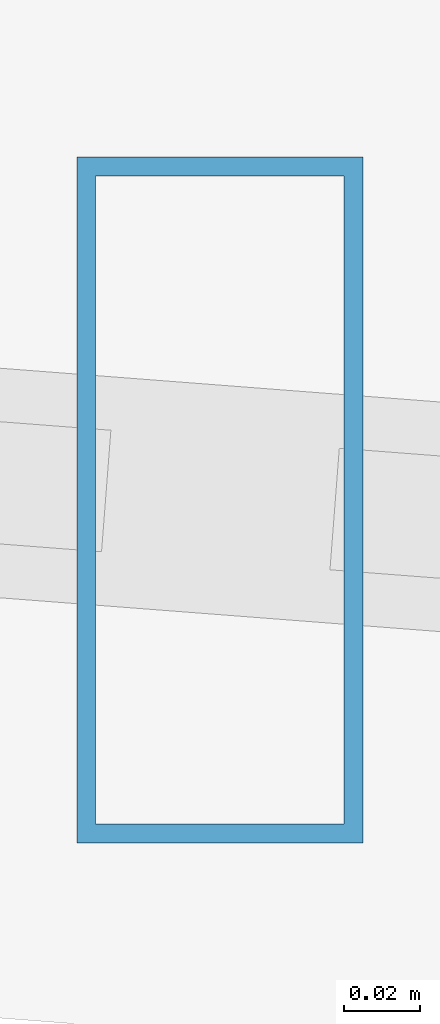
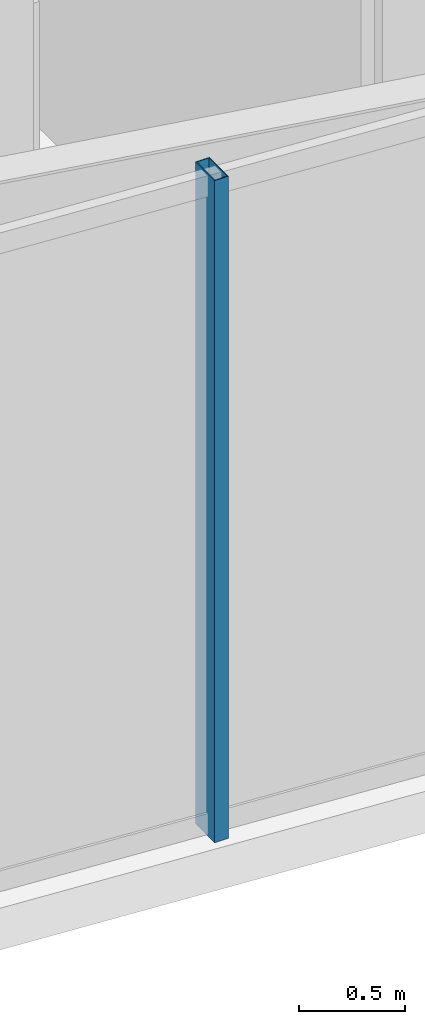
# One storey, part 2 of 29: 1 member, 1 element without a shape of its own.
"""IFC4 building model written with IfcOpenShell, lengths in metres."""

import ifcopenshell
import ifcopenshell.guid

model = None  # the IFC model being written
_history = None  # IfcOwnerHistory: only IFC2X3 demands one
_inside = {}  # id of a spatial element -> (the spatial element, [elements in it])
_under = {}  # id of a project, library or spatial element -> (it, [spatial elements below it])
_declared = {}  # id of a project -> (the project, [libraries it declares])
_typed = {}  # id of a type object -> (the type object, [elements of that type])
_made_of = {}  # id of a material, layer set ... -> (it, [elements and type objects made of it])


def new_model(schema):
    """Start an empty IFC model of exactly this schema.

    Asked for "IFC4X3", IfcOpenShell would pick the latest addendum, in which some entities
    have other attributes; the version numbers below select the first issue.
    IFC2X3 requires an IfcOwnerHistory on every rooted entity: one is made here for all.
    """
    global model, _history
    if schema == "IFC4X3":
        model = ifcopenshell.file(schema_version=(4, 3, 0, 0))
    else:
        model = ifcopenshell.file(schema=schema)
    _inside.clear()
    _under.clear()
    _declared.clear()
    _typed.clear()
    _made_of.clear()
    _history = None
    if model.schema == "IFC2X3":
        org = make("IfcOrganization", Name="unknown")
        user = make(
            "IfcPersonAndOrganization",
            ThePerson=make("IfcPerson", FamilyName="unknown"),
            TheOrganization=org,
        )
        app = make(
            "IfcApplication",
            ApplicationDeveloper=org,
            Version="unknown",
            ApplicationFullName="unknown",
            ApplicationIdentifier="unknown",
        )
        _history = make(
            "IfcOwnerHistory",
            OwningUser=user,
            OwningApplication=app,
            ChangeAction="ADDED",
            CreationDate=0,
        )
    return model


def make(cls, **values):
    """One entity of the class cls with the attributes given. An attribute that is None is left unset."""
    return model.create_entity(
        cls, **{name: value for name, value in values.items() if value is not None}
    )


def rooted(cls, **values):
    """An entity with a GlobalId (a new one), such as an element, a storey or a relation."""
    return make(cls, GlobalId=ifcopenshell.guid.new(), OwnerHistory=_history, **values)


def si_unit(unit_type, name, prefix=None):
    """IfcSIUnit, for example si_unit("LENGTHUNIT", "METRE", prefix="MILLI")."""
    return make("IfcSIUnit", UnitType=unit_type, Prefix=prefix, Name=name)


def assignment(units):
    """IfcUnitAssignment: the units of a project."""
    return None if units is None else make("IfcUnitAssignment", Units=units)


def point(xyz):
    """IfcCartesianPoint."""
    return None if xyz is None else make("IfcCartesianPoint", Coordinates=xyz)


def direction(xyz):
    """IfcDirection."""
    return None if xyz is None else make("IfcDirection", DirectionRatios=xyz)


def frame(location, z_axis=None, x_axis=None):
    """IfcAxis2Placement3D, a coordinate frame: its origin and axes. An axis left out is left unset."""
    return make(
        "IfcAxis2Placement3D",
        Location=point(location),
        Axis=direction(z_axis),
        RefDirection=direction(x_axis),
    )


def frame_2d(location, x_axis=None):
    """IfcAxis2Placement2D, a coordinate frame in the plane: its origin and x axis."""
    return make(
        "IfcAxis2Placement2D", Location=point(location), RefDirection=direction(x_axis)
    )


def origin():
    """The frame at (0, 0, 0) with its axes left unset."""
    return frame((0.0, 0.0, 0.0))


def origin_2d():
    """The frame at (0, 0) in the plane with its x axis left unset."""
    return frame_2d((0.0, 0.0))


def place(relative_to, where):
    """IfcLocalPlacement: puts the frame where relative to a parent placement (None: the world)."""
    return make(
        "IfcLocalPlacement", PlacementRelTo=relative_to, RelativePlacement=where
    )


def context(
    kind, dimensions, precision=None, world=None, true_north=None, identifier=None
):
    """IfcGeometricRepresentationContext, for example the 3D "Model" context."""
    return make(
        "IfcGeometricRepresentationContext",
        ContextIdentifier=identifier,
        ContextType=kind,
        CoordinateSpaceDimension=dimensions,
        Precision=precision,
        WorldCoordinateSystem=world,
        TrueNorth=true_north,
    )


def subcontext(parent, identifier, kind, view, scale=None):
    """IfcGeometricRepresentationSubContext, for example "Body" below "Model"."""
    return make(
        "IfcGeometricRepresentationSubContext",
        ContextIdentifier=identifier,
        ContextType=kind,
        ParentContext=parent,
        TargetScale=scale,
        TargetView=view,
    )


def project(units=None, contexts=None):
    """IfcProject with its units and contexts."""
    return rooted(
        "IfcProject",
        Name="project",
        RepresentationContexts=contexts,
        UnitsInContext=assignment(units),
    )


def spatial(cls, under=None, at=None, **own):
    """A site, building, storey or space (cls), placed at a placement, below another one or the project."""
    s = rooted(cls, ObjectPlacement=at, **own)
    if under is not None:
        _under.setdefault(under.id(), (under, []))[1].append(s)
    return s


def profile(cls, at=None, kind="AREA", **sizes):
    """A parametric profile (cls). Its sizes go by their IFC names, for example OverallWidth=200.0."""
    return make(cls, ProfileType=kind, Position=at, **sizes)


def hollow_rectangle(**sizes):
    """IfcRectangleHollowProfileDef."""
    return profile("IfcRectangleHollowProfileDef", **sizes)


def extrude(swept, where, along, depth):
    """IfcExtrudedAreaSolid: the profile swept, set in the frame where, extruded along a direction by depth."""
    return make(
        "IfcExtrudedAreaSolid",
        SweptArea=swept,
        Position=where,
        ExtrudedDirection=direction(along),
        Depth=depth,
    )


def shape(context_of_items, identifier, shape_type, items):
    """IfcShapeRepresentation: the items that make up one representation, for example the "Body"."""
    return make(
        "IfcShapeRepresentation",
        ContextOfItems=context_of_items,
        RepresentationIdentifier=identifier,
        RepresentationType=shape_type,
        Items=items,
    )


def material(Name=None, Category=None):
    """IfcMaterial."""
    return make("IfcMaterial", Name=Name, Category=Category)


def layer(
    of_material, thickness, ventilated=None, Name=None, Category=None, Priority=None
):
    """IfcMaterialLayer: one layer of a wall or slab, of a material (None: an air gap)."""
    return make(
        "IfcMaterialLayer",
        Material=of_material,
        LayerThickness=thickness,
        IsVentilated=ventilated,
        Name=Name,
        Category=Category,
        Priority=Priority,
    )


def layer_set(layers, Name=None):
    """IfcMaterialLayerSet."""
    return make("IfcMaterialLayerSet", MaterialLayers=layers, LayerSetName=Name)


def material_profile(
    of_material, cross_section, Name=None, Category=None, Priority=None
):
    """IfcMaterialProfile: a cross section and its material."""
    return make(
        "IfcMaterialProfile",
        Name=Name,
        Material=of_material,
        Profile=cross_section,
        Priority=Priority,
        Category=Category,
    )


def profile_set(profiles, Name=None, composite=None):
    """IfcMaterialProfileSet."""
    return make(
        "IfcMaterialProfileSet",
        Name=Name,
        MaterialProfiles=profiles,
        CompositeProfile=composite,
    )


def made_of(thing, what):
    """Note that an element or type object is made of a material, layer set ...; save() writes the relation."""
    if what is not None:
        _made_of.setdefault(what.id(), (what, []))[1].append(thing)
    return thing


def type_object(cls, material=None, **own):
    """A type object (cls), such as IfcWallType, which elements share."""
    return made_of(rooted(cls, **own), material)


def element(
    cls,
    number,
    at=None,
    inside=None,
    cuts=None,
    type_object=None,
    material=None,
    context=None,
    identifier="Body",
    shape_type=None,
    held_by="IfcProductDefinitionShape",
    body=None,
    shapes=None,
    **own,
):
    """One element of the class cls, such as IfcWall. Its Tag is "e" and its number.

    at: its placement. inside: the storey or other place that contains it. cuts: it is an
    opening in that element (IfcRelVoidsElement). A single representation is given by context,
    identifier, shape_type and body (its items); several are given by shapes. held_by: the class
    of the entity that holds the representations. save() writes the other relations.
    """
    e = rooted(cls, Tag="e%d" % number, ObjectPlacement=at, **own)
    if body is not None:
        shapes = [shape(context, identifier, shape_type, body)]
    if shapes is not None:
        e.Representation = make(held_by, Representations=shapes)
    if inside is not None:
        _inside.setdefault(inside.id(), (inside, []))[1].append(e)
    if cuts is not None:
        rooted(
            "IfcRelVoidsElement", RelatingBuildingElement=cuts, RelatedOpeningElement=e
        )
    if type_object is not None:
        _typed.setdefault(type_object.id(), (type_object, []))[1].append(e)
    return made_of(e, material)


def aggregate(whole, parts):
    """IfcRelAggregates: a whole, such as a stair, and the parts it consists of."""
    return rooted("IfcRelAggregates", RelatingObject=whole, RelatedObjects=parts)


def save(model, path):
    """Write the relations noted so far, then the file.

    IfcRelAggregates (storeys below a building ...), IfcRelContainedInSpatialStructure (elements
    in a storey), IfcRelDefinesByType, IfcRelAssociatesMaterial and IfcRelDeclares: one each for
    every whole, place, type object, material and project.
    """
    for whole, parts in _under.values():
        aggregate(whole, parts)
    for where, things in _inside.values():
        rooted(
            "IfcRelContainedInSpatialStructure",
            RelatedElements=things,
            RelatingStructure=where,
        )
    for kind, things in _typed.values():
        rooted("IfcRelDefinesByType", RelatedObjects=things, RelatingType=kind)
    for what, things in _made_of.values():
        rooted("IfcRelAssociatesMaterial", RelatedObjects=things, RelatingMaterial=what)
    for by, libraries in _declared.values():
        rooted("IfcRelDeclares", RelatingContext=by, RelatedDefinitions=libraries)
    model.write(path)


model = new_model("IFC4")

# Units and contexts
model_context = context("Model", 3, precision=1e-05, world=origin(), true_north=direction((0.0, 1.0)))
body_context = subcontext(model_context, "Body", "Model", "MODEL_VIEW")
ifc_project = project(units=[si_unit("LENGTHUNIT", "METRE"), si_unit("AREAUNIT", "SQUARE_METRE"), si_unit("VOLUMEUNIT", "CUBIC_METRE"), si_unit("PLANEANGLEUNIT", "RADIAN"), si_unit("MASSUNIT", "GRAM", prefix="KILO")], contexts=[model_context])

# Site, building, storey
site_placement = place(None, origin())
site = spatial("IfcSite", under=ifc_project, at=site_placement, CompositionType="ELEMENT")
building_placement = place(site_placement, origin())
building = spatial("IfcBuilding", under=site, at=building_placement, Name="Veymaron Broadcast Tower", CompositionType="ELEMENT")
storey_placement = place(building_placement, frame((0.0, 0.0, 41.85009765625)))
storey = spatial("IfcBuildingStorey", under=building, at=storey_placement, Name="L08", CompositionType="ELEMENT", Elevation=41.85009765625)

# Curtain wall, member
ifc_material_1 = material(Name="Anodised aluminium AA 6063-T6 and laminated low-E dark glass", Category="aluminium")
ifc_layer = layer(ifc_material_1, 0.179931640625)
ifc_layer_set = layer_set([ifc_layer], Name="Anodised aluminium AA 6063-T6 and laminated low-E dark glass")
curtain_wall_type = type_object("IfcCurtainWallType", Name="CW-SYS-02", PredefinedType="NOTDEFINED", material=ifc_layer_set)
curtain_wall_placement = place(storey_placement, origin())
curtain_wall = element("IfcCurtainWall", 1, at=curtain_wall_placement, inside=storey, type_object=curtain_wall_type, Name="L08 dark-glass curtain wall CW-L08-E14-1", PredefinedType="NOTDEFINED")
ifc_material_2 = material(Name="Anodised aluminium AA 6063-T6", Category="aluminium")
ifc_material_profile = material_profile(ifc_material_2, hollow_rectangle(XDim=0.074951171875, YDim=0.179931640625, WallThickness=0.0048828125, at=origin_2d()), Name="AL180X75X5")
ifc_profile_set = profile_set([ifc_material_profile], Name="Anodised aluminium AA 6063-T6")
member_type = type_object("IfcMemberType", Name="CW-MUL-02", PredefinedType="MULLION", material=ifc_profile_set)
member_placement = place(storey_placement, frame((19.142578125, 18.072998046875, 0.0), z_axis=(0.0, 0.0, 1.0), x_axis=(1.0, 0.0, 0.0)))
member = element("IfcMember", 2, at=member_placement, type_object=member_type, Name="CW-L08-E14-1 mullion 2", PredefinedType="MULLION", context=body_context, shape_type="SweptSolid", body=[
    extrude(hollow_rectangle(XDim=0.074951171875, YDim=0.179931640625, WallThickness=0.0048828125, at=origin_2d()), origin(), (0.0, 0.0, 1.0), 3.809814453125),
])
aggregate(curtain_wall, [member])

save(model, "model.ifc")
